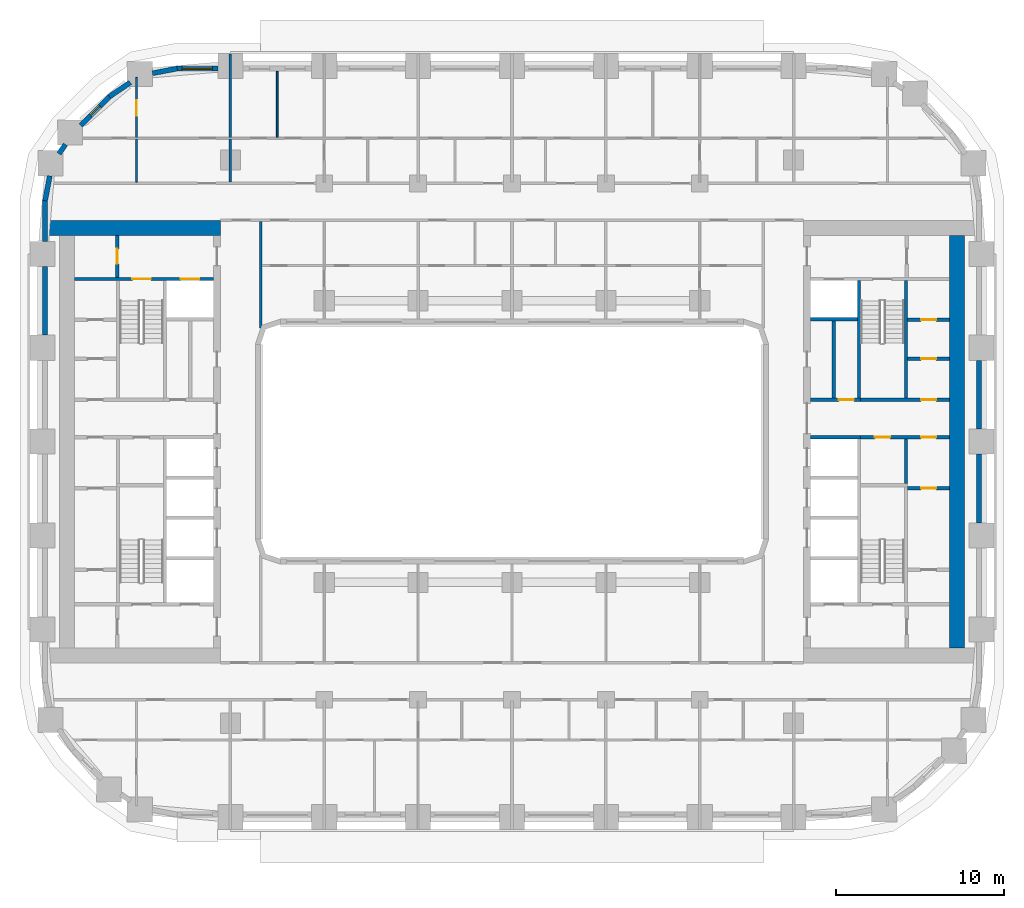
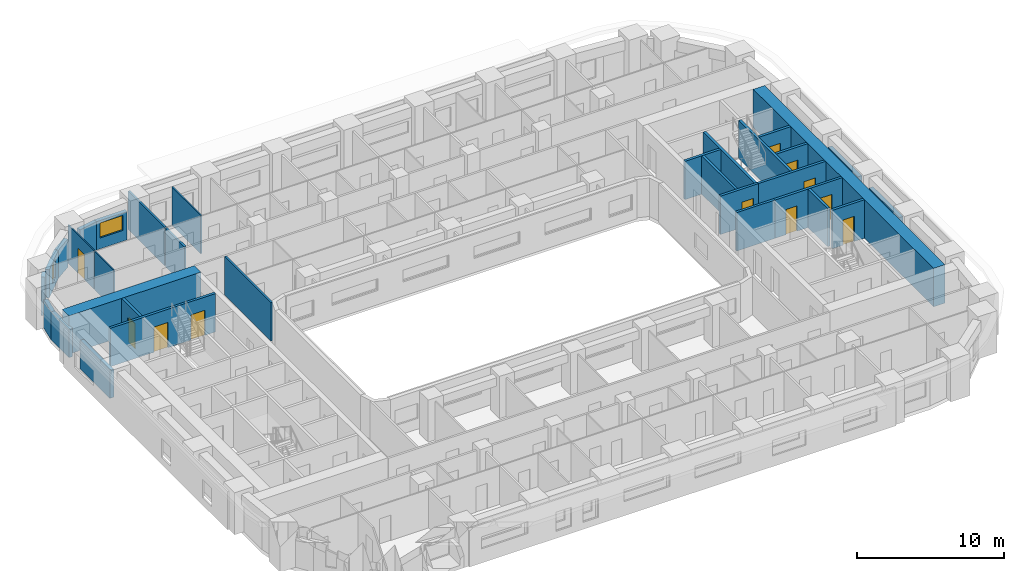
# One storey, part 7 of 21: 32 walls, 11 doors, 2 windows, 13 openings.
"""IFC4 building model written with IfcOpenShell, lengths in metres."""

from ifc_helpers import new_model, si_unit, direction, frame, frame_2d, origin, place, context, subcontext, project, spatial, rectangle, extrude, material, layer, layer_set, type_object, element, fill, save


model = new_model("IFC4")

# Units and contexts
model_context = context("Model", 3, precision=1e-05, world=origin(), true_north=direction((0.0, 1.0)))
body_context = subcontext(model_context, "Body", "Model", "MODEL_VIEW")
ifc_project = project(units=[si_unit("LENGTHUNIT", "METRE"), si_unit("AREAUNIT", "SQUARE_METRE"), si_unit("VOLUMEUNIT", "CUBIC_METRE"), si_unit("PLANEANGLEUNIT", "RADIAN"), si_unit("MASSUNIT", "GRAM", prefix="KILO")], contexts=[model_context])

# Site, building, storey
site_placement = place(None, origin())
site = spatial("IfcSite", under=ifc_project, at=site_placement, CompositionType="ELEMENT")
building_placement = place(site_placement, origin())
building = spatial("IfcBuilding", under=site, at=building_placement, Name="Kiln Ring Residences", CompositionType="ELEMENT")
storey_placement = place(building_placement, frame((0.0, 0.0, 41.0)))
storey = spatial("IfcBuildingStorey", under=building, at=storey_placement, Name="L09", CompositionType="ELEMENT", Elevation=41.0)

# Wall, opening, door
ifc_material_1 = material(Name="Gypsum board on steel studs", Category="steel")
ifc_layer_1 = layer(ifc_material_1, 0.199951171875)
ifc_layer_set_1 = layer_set([ifc_layer_1], Name="CORE-PARTITION-200")
wall_type_1 = type_object("IfcWallType", Name="CORE-PARTITION-200", PredefinedType="PARTITIONING", material=ifc_layer_set_1)
wall_1_placement = place(storey_placement, frame((-23.550048828125, 9.800048828125, 0.0), z_axis=(0.0, 0.0, 1.0), x_axis=(0.0, 1.0, 0.0)))
wall_1 = element("IfcWall", 1, at=wall_1_placement, inside=storey, type_object=wall_type_1, Name="Core partition west L09 4", PredefinedType="PARTITIONING", context=body_context, shape_type="SweptSolid", body=[
    extrude(rectangle(XDim=2.5, YDim=0.199951171875, at=frame_2d((1.25, 0.0))), origin(), (0.0, 0.0, 1.0), 3.199951171875),
])
opening_1_placement = place(wall_1_placement, frame((0.800048828125, 0.0, 0.0)))
opening_1 = element("IfcOpeningElement", 2, at=opening_1_placement, cuts=wall_1, Name="Opening L09-CW10", PredefinedType="OPENING", context=body_context, shape_type="SweptSolid", body=[
    extrude(rectangle(XDim=0.89990234375, YDim=2.10009765625, at=frame_2d((0.449951171875, 1.050048828125))), frame((0.0, 0.10986328125, 0.0), z_axis=(0.0, -1.0, 0.0), x_axis=(1.0, 0.0, 0.0)), (0.0, 0.0, 1.0), 0.219970703125),
])
ifc_material_2 = material(Name="Steel door leaf", Category="steel")
door_type_1 = type_object("IfcDoorType", Name="CORE-DOOR-ROOM", OperationType="SINGLE_SWING_LEFT", PredefinedType="DOOR", material=ifc_material_2)
door_1_placement = place(opening_1_placement, origin())
door_1 = element("IfcDoor", 3, at=door_1_placement, inside=storey, type_object=door_type_1, Name="Fire riser room L09-CW10", OperationType="SINGLE_SWING_RIGHT", OverallHeight=2.10009765625, OverallWidth=0.89990234375, PredefinedType="DOOR", context=body_context, shape_type="SweptSolid", body=[
    extrude(rectangle(XDim=0.89990234375, YDim=2.10009765625, at=frame_2d((0.449951171875, 1.050048828125))), frame((0.0, 0.02490234375, 0.0), z_axis=(0.0, -1.0, 0.0), x_axis=(1.0, 0.0, 0.0)), (0.0, 0.0, 1.0), 0.050048828125),
])
fill(opening_1, door_1)

# Wall
wall_2_placement = place(storey_placement, frame((23.5, -2.5, 0.0), z_axis=(0.0, 0.0, 1.0), x_axis=(0.0, 1.0, 0.0)))
element("IfcWall", 4, at=wall_2_placement, inside=storey, type_object=wall_type_1, Name="Core partition east L09 1", PredefinedType="PARTITIONING", context=body_context, shape_type="SweptSolid", body=[
    extrude(rectangle(XDim=2.64990234375, YDim=0.199951171875, at=frame_2d((1.324951171875, 0.0))), origin(), (0.0, 0.0, 1.0), 3.199951171875),
])

# Wall, openings, doors
wall_3_placement = place(storey_placement, frame((20.800048828125, 0.25, 0.0), z_axis=(0.0, 0.0, 1.0), x_axis=(1.0, 0.0, 0.0)))
wall_3 = element("IfcWall", 5, at=wall_3_placement, inside=storey, type_object=wall_type_1, Name="Core partition east L09 2", PredefinedType="PARTITIONING", context=body_context, shape_type="SweptSolid", body=[
    extrude(rectangle(XDim=5.300048828125, YDim=0.199951171875, at=frame_2d((2.64990234375, 0.0))), origin(), (0.0, 0.0, 1.0), 3.199951171875),
])
opening_2_placement = place(wall_3_placement, frame((0.85009765625, 0.0, 0.0)))
opening_2 = element("IfcOpeningElement", 6, at=opening_2_placement, cuts=wall_3, Name="Opening L09-CE15", PredefinedType="OPENING", context=body_context, shape_type="SweptSolid", body=[
    extrude(rectangle(XDim=0.89990234375, YDim=2.10009765625, at=frame_2d((0.449951171875, 1.050048828125))), frame((0.0, 0.10986328125, 0.0), z_axis=(0.0, -1.0, 0.0), x_axis=(1.0, 0.0, 0.0)), (0.0, 0.0, 1.0), 0.219970703125),
])
opening_3_placement = place(wall_3_placement, frame((3.60009765625, 0.0, 0.0)))
opening_3 = element("IfcOpeningElement", 7, at=opening_3_placement, cuts=wall_3, Name="Opening L09-CE18", PredefinedType="OPENING", context=body_context, shape_type="SweptSolid", body=[
    extrude(rectangle(XDim=0.89990234375, YDim=2.10009765625, at=frame_2d((0.449951171875, 1.050048828125))), frame((0.0, 0.10986328125, 0.0), z_axis=(0.0, -1.0, 0.0), x_axis=(1.0, 0.0, 0.0)), (0.0, 0.0, 1.0), 0.219970703125),
])
door_2_placement = place(opening_2_placement, origin())
door_2 = element("IfcDoor", 8, at=door_2_placement, inside=storey, type_object=door_type_1, Name="Cleaner's store L09-CE15", OperationType="SINGLE_SWING_RIGHT", OverallHeight=2.10009765625, OverallWidth=0.89990234375, PredefinedType="DOOR", context=body_context, shape_type="SweptSolid", body=[
    extrude(rectangle(XDim=0.89990234375, YDim=2.10009765625, at=frame_2d((0.449951171875, 1.050048828125))), frame((0.0, 0.02490234375, 0.0), z_axis=(0.0, -1.0, 0.0), x_axis=(1.0, 0.0, 0.0)), (0.0, 0.0, 1.0), 0.050048828125),
])
fill(opening_2, door_2)
door_3_placement = place(opening_3_placement, origin())
door_3 = element("IfcDoor", 9, at=door_3_placement, inside=storey, type_object=door_type_1, Name="Battery room L09-CE18", OperationType="SINGLE_SWING_LEFT", OverallHeight=2.10009765625, OverallWidth=0.89990234375, PredefinedType="DOOR", context=body_context, shape_type="SweptSolid", body=[
    extrude(rectangle(XDim=0.89990234375, YDim=2.10009765625, at=frame_2d((0.449951171875, 1.050048828125))), frame((0.0, 0.02490234375, 0.0), z_axis=(0.0, -1.0, 0.0), x_axis=(1.0, 0.0, 0.0)), (0.0, 0.0, 1.0), 0.050048828125),
])
fill(opening_3, door_3)

# Wall
wall_4_placement = place(storey_placement, frame((19.199951171875, 2.60009765625, 0.0), z_axis=(0.0, 0.0, 1.0), x_axis=(0.0, 1.0, 0.0)))
element("IfcWall", 10, at=wall_4_placement, inside=storey, type_object=wall_type_1, Name="Core partition east L09 3", PredefinedType="PARTITIONING", context=body_context, shape_type="SweptSolid", body=[
    extrude(rectangle(XDim=4.599853515625, YDim=0.199951171875, at=frame_2d((2.2998046875, 0.0))), origin(), (0.0, 0.0, 1.0), 3.199951171875),
])

# Wall, opening, door
wall_5_placement = place(storey_placement, frame((23.60009765625, -2.77490234375, 0.0), z_axis=(0.0, 0.0, 1.0), x_axis=(1.0, 0.0, 0.0)))
wall_5 = element("IfcWall", 11, at=wall_5_placement, inside=storey, type_object=wall_type_1, Name="Core partition east L09 7", PredefinedType="PARTITIONING", context=body_context, shape_type="SweptSolid", body=[
    extrude(rectangle(XDim=2.5, YDim=0.199951171875, at=frame_2d((1.25, 0.0))), origin(), (0.0, 0.0, 1.0), 3.199951171875),
])
opening_4_placement = place(wall_5_placement, frame((0.800048828125, 0.0, 0.0)))
opening_4 = element("IfcOpeningElement", 12, at=opening_4_placement, cuts=wall_5, Name="Opening L09-CE17", PredefinedType="OPENING", context=body_context, shape_type="SweptSolid", body=[
    extrude(rectangle(XDim=0.89990234375, YDim=2.10009765625, at=frame_2d((0.449951171875, 1.050048828125))), frame((0.0, 0.10986328125, 0.0), z_axis=(0.0, -1.0, 0.0), x_axis=(1.0, 0.0, 0.0)), (0.0, 0.0, 1.0), 0.219970703125),
])
door_4_placement = place(opening_4_placement, origin())
door_4 = element("IfcDoor", 13, at=door_4_placement, inside=storey, type_object=door_type_1, Name="Battery room L09-CE17", OperationType="SINGLE_SWING_LEFT", OverallHeight=2.10009765625, OverallWidth=0.89990234375, PredefinedType="DOOR", context=body_context, shape_type="SweptSolid", body=[
    extrude(rectangle(XDim=0.89990234375, YDim=2.10009765625, at=frame_2d((0.449951171875, 1.050048828125))), frame((0.0, 0.02490234375, 0.0), z_axis=(0.0, -1.0, 0.0), x_axis=(1.0, 0.0, 0.0)), (0.0, 0.0, 1.0), 0.050048828125),
])
fill(opening_4, door_4)

wall_6_placement = place(storey_placement, frame((23.60009765625, 4.933349609375, 0.0), z_axis=(0.0, 0.0, 1.0), x_axis=(1.0, 0.0, 0.0)))
wall_6 = element("IfcWall", 14, at=wall_6_placement, inside=storey, type_object=wall_type_1, Name="Core partition east L09 8", PredefinedType="PARTITIONING", context=body_context, shape_type="SweptSolid", body=[
    extrude(rectangle(XDim=2.5, YDim=0.199951171875, at=frame_2d((1.25, 0.0))), origin(), (0.0, 0.0, 1.0), 3.199951171875),
])
opening_5_placement = place(wall_6_placement, frame((0.800048828125, 0.0, 0.0)))
opening_5 = element("IfcOpeningElement", 15, at=opening_5_placement, cuts=wall_6, Name="Opening L09-CE19", PredefinedType="OPENING", context=body_context, shape_type="SweptSolid", body=[
    extrude(rectangle(XDim=0.89990234375, YDim=2.10009765625, at=frame_2d((0.449951171875, 1.050048828125))), frame((0.0, 0.10986328125, 0.0), z_axis=(0.0, -1.0, 0.0), x_axis=(1.0, 0.0, 0.0)), (0.0, 0.0, 1.0), 0.219970703125),
])
door_5_placement = place(opening_5_placement, origin())
door_5 = element("IfcDoor", 16, at=door_5_placement, inside=storey, type_object=door_type_1, Name="Electrical plant room L09-CE19", OperationType="SINGLE_SWING_LEFT", OverallHeight=2.10009765625, OverallWidth=0.89990234375, PredefinedType="DOOR", context=body_context, shape_type="SweptSolid", body=[
    extrude(rectangle(XDim=0.89990234375, YDim=2.10009765625, at=frame_2d((0.449951171875, 1.050048828125))), frame((0.0, 0.02490234375, 0.0), z_axis=(0.0, -1.0, 0.0), x_axis=(1.0, 0.0, 0.0)), (0.0, 0.0, 1.0), 0.050048828125),
])
fill(opening_5, door_5)

wall_7_placement = place(storey_placement, frame((23.60009765625, 7.2666015625, 0.0), z_axis=(0.0, 0.0, 1.0), x_axis=(1.0, 0.0, 0.0)))
wall_7 = element("IfcWall", 17, at=wall_7_placement, inside=storey, type_object=wall_type_1, Name="Core partition east L09 9", PredefinedType="PARTITIONING", context=body_context, shape_type="SweptSolid", body=[
    extrude(rectangle(XDim=2.5, YDim=0.199951171875, at=frame_2d((1.25, 0.0))), origin(), (0.0, 0.0, 1.0), 3.199951171875),
])
opening_6_placement = place(wall_7_placement, frame((0.800048828125, 0.0, 0.0)))
opening_6 = element("IfcOpeningElement", 18, at=opening_6_placement, cuts=wall_7, Name="Opening L09-CE20", PredefinedType="OPENING", context=body_context, shape_type="SweptSolid", body=[
    extrude(rectangle(XDim=0.89990234375, YDim=2.10009765625, at=frame_2d((0.449951171875, 1.050048828125))), frame((0.0, 0.10986328125, 0.0), z_axis=(0.0, -1.0, 0.0), x_axis=(1.0, 0.0, 0.0)), (0.0, 0.0, 1.0), 0.219970703125),
])
door_6_placement = place(opening_6_placement, origin())
door_6 = element("IfcDoor", 19, at=door_6_placement, inside=storey, type_object=door_type_1, Name="Comms room L09-CE20", OperationType="SINGLE_SWING_RIGHT", OverallHeight=2.10009765625, OverallWidth=0.89990234375, PredefinedType="DOOR", context=body_context, shape_type="SweptSolid", body=[
    extrude(rectangle(XDim=0.89990234375, YDim=2.10009765625, at=frame_2d((0.449951171875, 1.050048828125))), frame((0.0, 0.02490234375, 0.0), z_axis=(0.0, -1.0, 0.0), x_axis=(1.0, 0.0, 0.0)), (0.0, 0.0, 1.0), 0.050048828125),
])
fill(opening_6, door_6)

# Wall
ifc_material_3 = material(Name="Gypsum shaft wall system")
ifc_layer_2 = layer(ifc_material_3, 0.199951171875)
ifc_layer_set_2 = layer_set([ifc_layer_2], Name="CORE-SHAFT-WALL-200")
wall_type_2 = type_object("IfcWallType", Name="CORE-SHAFT-WALL-200", PredefinedType="PARTITIONING", material=ifc_layer_set_2)
wall_8_placement = place(storey_placement, frame((17.800048828125, 0.25, 0.0), z_axis=(0.0, 0.0, 1.0), x_axis=(1.0, 0.0, 0.0)))
element("IfcWall", 20, at=wall_8_placement, inside=storey, type_object=wall_type_2, Name="Core partition east L09 13", PredefinedType="PARTITIONING", context=body_context, shape_type="SweptSolid", body=[
    extrude(rectangle(XDim=3.0, YDim=0.199951171875, at=frame_2d((1.5, 0.0))), origin(), (0.0, 0.0, 1.0), 3.199951171875),
])

# Wall, opening, door
wall_9_placement = place(storey_placement, frame((17.800048828125, 2.5, 0.0), z_axis=(0.0, 0.0, 1.0), x_axis=(1.0, 0.0, 0.0)))
wall_9 = element("IfcWall", 21, at=wall_9_placement, inside=storey, type_object=wall_type_2, Name="Core partition east L09 14", PredefinedType="PARTITIONING", context=body_context, shape_type="SweptSolid", body=[
    extrude(rectangle(XDim=3.0, YDim=0.199951171875, at=frame_2d((1.5, 0.0))), origin(), (0.0, 0.0, 1.0), 3.199951171875),
])
opening_7_placement = place(wall_9_placement, frame((1.699951171875, 0.0, 0.0)))
opening_7 = element("IfcOpeningElement", 22, at=opening_7_placement, cuts=wall_9, Name="Opening L09-CE06", PredefinedType="OPENING", context=body_context, shape_type="SweptSolid", body=[
    extrude(rectangle(XDim=0.89990234375, YDim=2.10009765625, at=frame_2d((0.449951171875, 1.050048828125))), frame((0.0, 0.10986328125, 0.0), z_axis=(0.0, -1.0, 0.0), x_axis=(1.0, 0.0, 0.0)), (0.0, 0.0, 1.0), 0.219970703125),
])
door_7_placement = place(opening_7_placement, origin())
door_7 = element("IfcDoor", 23, at=door_7_placement, inside=storey, type_object=door_type_1, Name="Cleaner's store L09-CE06", OperationType="SINGLE_SWING_RIGHT", OverallHeight=2.10009765625, OverallWidth=0.89990234375, PredefinedType="DOOR", context=body_context, shape_type="SweptSolid", body=[
    extrude(rectangle(XDim=0.89990234375, YDim=2.10009765625, at=frame_2d((0.449951171875, 1.050048828125))), frame((0.0, 0.02490234375, 0.0), z_axis=(0.0, -1.0, 0.0), x_axis=(1.0, 0.0, 0.0)), (0.0, 0.0, 1.0), 0.050048828125),
])
fill(opening_7, door_7)

# Wall
wall_10_placement = place(storey_placement, frame((17.800048828125, 7.300048828125, 0.0), z_axis=(0.0, 0.0, 1.0), x_axis=(1.0, 0.0, 0.0)))
element("IfcWall", 24, at=wall_10_placement, inside=storey, type_object=wall_type_2, Name="Core partition east L09 15", PredefinedType="PARTITIONING", context=body_context, shape_type="SweptSolid", body=[
    extrude(rectangle(XDim=2.800048828125, YDim=0.199951171875, at=frame_2d((1.39990234375, 0.0))), origin(), (0.0, 0.0, 1.0), 3.199951171875),
])

# Wall, openings, doors
ifc_material_4 = material(Name="Concrete C40/50", Category="concrete")
ifc_layer_3 = layer(ifc_material_4, 0.199951171875)
ifc_layer_set_3 = layer_set([ifc_layer_3], Name="CORE-WALL-RC200")
wall_type_3 = type_object("IfcWallType", Name="CORE-WALL-RC200", PredefinedType="SHEAR", material=ifc_layer_set_3)
wall_11_placement = place(storey_placement, frame((-17.800048828125, 9.699951171875, 0.0), z_axis=(0.0, 0.0, 1.0), x_axis=(-1.0, 0.0, 0.0)))
wall_11 = element("IfcWall", 25, at=wall_11_placement, inside=storey, type_object=wall_type_3, Name="Core wall west L09 9", PredefinedType="SHEAR", context=body_context, shape_type="SweptSolid", body=[
    extrude(rectangle(XDim=8.300048828125, YDim=0.199951171875, at=frame_2d((4.14990234375, 0.0))), origin(), (0.0, 0.0, 1.0), 3.199951171875),
])
opening_8_placement = place(wall_11_placement, frame((0.85009765625, 0.0, 0.0)))
opening_8 = element("IfcOpeningElement", 26, at=opening_8_placement, cuts=wall_11, Name="Opening L09-CW07", PredefinedType="OPENING", context=body_context, shape_type="SweptSolid", body=[
    extrude(rectangle(XDim=1.10009765625, YDim=2.10009765625, at=frame_2d((0.550048828125, 1.050048828125))), frame((0.0, 0.10986328125, 0.0), z_axis=(0.0, -1.0, 0.0), x_axis=(1.0, 0.0, 0.0)), (0.0, 0.0, 1.0), 0.219970703125),
])
opening_9_placement = place(wall_11_placement, frame((3.75, 0.0, 0.0)))
opening_9 = element("IfcOpeningElement", 27, at=opening_9_placement, cuts=wall_11, Name="Opening L09-CW12", PredefinedType="OPENING", context=body_context, shape_type="SweptSolid", body=[
    extrude(rectangle(XDim=1.10009765625, YDim=2.10009765625, at=frame_2d((0.550048828125, 1.050048828125))), frame((0.0, 0.10986328125, 0.0), z_axis=(0.0, -1.0, 0.0), x_axis=(1.0, 0.0, 0.0)), (0.0, 0.0, 1.0), 0.219970703125),
])
ifc_material_5 = material(Name="Steel door leaf", Category="steel")
door_type_2 = type_object("IfcDoorType", Name="CORE-DOOR-LD", OperationType="DOUBLE_DOOR_SLIDING", PredefinedType="DOOR", material=ifc_material_5)
door_8_placement = place(opening_8_placement, origin())
door_8 = element("IfcDoor", 28, at=door_8_placement, inside=storey, type_object=door_type_2, Name="LD W-FF L09-CW07", OperationType="DOUBLE_DOOR_SLIDING", OverallHeight=2.10009765625, OverallWidth=1.10009765625, PredefinedType="DOOR", context=body_context, shape_type="SweptSolid", body=[
    extrude(rectangle(XDim=1.10009765625, YDim=2.10009765625, at=frame_2d((0.550048828125, 1.050048828125))), frame((0.0, 0.02490234375, 0.0), z_axis=(0.0, -1.0, 0.0), x_axis=(1.0, 0.0, 0.0)), (0.0, 0.0, 1.0), 0.050048828125),
])
fill(opening_8, door_8)
ifc_material_6 = material(Name="Steel door leaf", Category="steel")
door_type_3 = type_object("IfcDoorType", Name="CORE-DOOR-STAIR", OperationType="SINGLE_SWING_LEFT", PredefinedType="DOOR", material=ifc_material_6)
door_9_placement = place(opening_9_placement, origin())
door_9 = element("IfcDoor", 29, at=door_9_placement, inside=storey, type_object=door_type_3, Name="Stair W-STN L09-CW12", OperationType="SINGLE_SWING_RIGHT", OverallHeight=2.10009765625, OverallWidth=1.10009765625, PredefinedType="DOOR", context=body_context, shape_type="SweptSolid", body=[
    extrude(rectangle(XDim=1.10009765625, YDim=2.10009765625, at=frame_2d((0.550048828125, 1.050048828125))), frame((0.0, 0.02490234375, 0.0), z_axis=(0.0, -1.0, 0.0), x_axis=(1.0, 0.0, 0.0)), (0.0, 0.0, 1.0), 0.050048828125),
])
fill(opening_9, door_9)

# Wall
wall_12_placement = place(storey_placement, frame((20.699951171875, 2.60009765625, 0.0), z_axis=(0.0, 0.0, 1.0), x_axis=(0.0, 1.0, 0.0)))
element("IfcWall", 30, at=wall_12_placement, inside=storey, type_object=wall_type_3, Name="Core wall east L09 1", PredefinedType="SHEAR", context=body_context, shape_type="SweptSolid", body=[
    extrude(rectangle(XDim=7.0, YDim=0.199951171875, at=frame_2d((3.5, 0.0))), origin(), (0.0, 0.0, 1.0), 3.199951171875),
])

# Wall, opening, door
wall_13_placement = place(storey_placement, frame((20.800048828125, 2.5, 0.0), z_axis=(0.0, 0.0, 1.0), x_axis=(1.0, 0.0, 0.0)))
wall_13 = element("IfcWall", 31, at=wall_13_placement, inside=storey, type_object=wall_type_3, Name="Core wall east L09 3", PredefinedType="SHEAR", context=body_context, shape_type="SweptSolid", body=[
    extrude(rectangle(XDim=5.300048828125, YDim=0.199951171875, at=frame_2d((2.64990234375, 0.0))), origin(), (0.0, 0.0, 1.0), 3.199951171875),
])
opening_10_placement = place(wall_13_placement, frame((3.60009765625, 0.0, 0.0)))
opening_10 = element("IfcOpeningElement", 32, at=opening_10_placement, cuts=wall_13, Name="Opening L09-CE21", PredefinedType="OPENING", context=body_context, shape_type="SweptSolid", body=[
    extrude(rectangle(XDim=0.89990234375, YDim=2.10009765625, at=frame_2d((0.449951171875, 1.050048828125))), frame((0.0, 0.10986328125, 0.0), z_axis=(0.0, -1.0, 0.0), x_axis=(1.0, 0.0, 0.0)), (0.0, 0.0, 1.0), 0.219970703125),
])
door_10_placement = place(opening_10_placement, origin())
door_10 = element("IfcDoor", 33, at=door_10_placement, inside=storey, type_object=door_type_1, Name="UPS room L09-CE21", OperationType="SINGLE_SWING_LEFT", OverallHeight=2.10009765625, OverallWidth=0.89990234375, PredefinedType="DOOR", context=body_context, shape_type="SweptSolid", body=[
    extrude(rectangle(XDim=0.89990234375, YDim=2.10009765625, at=frame_2d((0.449951171875, 1.050048828125))), frame((0.0, 0.02490234375, 0.0), z_axis=(0.0, -1.0, 0.0), x_axis=(1.0, 0.0, 0.0)), (0.0, 0.0, 1.0), 0.050048828125),
])
fill(opening_10, door_10)

# Walls
wall_14_placement = place(storey_placement, frame((23.5, 2.60009765625, 0.0), z_axis=(0.0, 0.0, 1.0), x_axis=(0.0, 1.0, 0.0)))
element("IfcWall", 34, at=wall_14_placement, inside=storey, type_object=wall_type_3, Name="Core wall east L09 10", PredefinedType="SHEAR", context=body_context, shape_type="SweptSolid", body=[
    extrude(rectangle(XDim=7.0, YDim=0.199951171875, at=frame_2d((3.5, 0.0))), origin(), (0.0, 0.0, 1.0), 3.199951171875),
])
ifc_material_7 = material(Name="Concrete C60/75", Category="concrete")
ifc_layer_4 = layer(ifc_material_7, 0.89990234375)
ifc_layer_set_4 = layer_set([ifc_layer_4], Name="CORE-WALL-RC900")
wall_type_4 = type_object("IfcWallType", Name="CORE-WALL-RC900", PredefinedType="SHEAR", material=ifc_layer_set_4)
wall_15_placement = place(storey_placement, frame((-17.39990234375, 12.75, 0.0), z_axis=(0.0, 0.0, 1.0), x_axis=(-1.0, 0.0, 0.0)))
element("IfcWall", 35, at=wall_15_placement, inside=storey, type_object=wall_type_4, Name="Core wall west L09 4", PredefinedType="SHEAR", context=body_context, shape_type="SweptSolid", body=[
    extrude(rectangle(XDim=10.400146484375, YDim=0.89990234375, at=frame_2d((5.2001953125, 0.0))), origin(), (0.0, 0.0, 1.0), 3.199951171875),
])
wall_16_placement = place(storey_placement, frame((26.550048828125, -12.300048828125, 0.0), z_axis=(0.0, 0.0, 1.0), x_axis=(0.0, 1.0, 0.0)))
element("IfcWall", 36, at=wall_16_placement, inside=storey, type_object=wall_type_4, Name="Core wall east L09 7", PredefinedType="SHEAR", context=body_context, shape_type="SweptSolid", body=[
    extrude(rectangle(XDim=24.60009765625, YDim=0.89990234375, at=frame_2d((12.300048828125, 0.0))), origin(), (0.0, 0.0, 1.0), 3.199951171875),
])
ifc_material_8 = material(Name="Brick masonry, dark clay brick", Category="masonry")
ifc_layer_5 = layer(ifc_material_8, 0.300048828125)
ifc_layer_set_5 = layer_set([ifc_layer_5], Name="EW-300 BRICK WALL")
wall_type_5 = type_object("IfcWallType", Name="EW-300 BRICK WALL", PredefinedType="SOLIDWALL", material=ifc_layer_set_5)
for number, where, z_axis, x_axis, name in (
    (37, (27.85009765625, -4.85009765625, 0.0), (0.0, 0.0, 1.0), (0.0, 1.0, 0.0), "Facade wall L09 19"),
    (38, (27.85009765625, 0.75, 0.0), (0.0, 0.0, 1.0), (0.0, 1.0, 0.0), "Facade wall L09 20"),
):
    element("IfcWall", number, at=place(storey_placement, frame(where, z_axis=z_axis, x_axis=x_axis)), inside=storey, type_object=wall_type_5, Name=name, PredefinedType="SOLIDWALL", context=body_context, shape_type="SweptSolid", body=[
        extrude(rectangle(XDim=4.10009765625, YDim=0.300048828125, at=frame_2d((2.050048828125, 0.0))), origin(), (0.0, 0.0, 1.0), 2.35009765625),
    ])

# Wall, opening, window
wall_17_placement = place(storey_placement, frame((-17.550048828125, 22.25, 0.0), z_axis=(0.0, 0.0, 1.0), x_axis=(-1.0, 0.0, 0.0)))
wall_17 = element("IfcWall", 39, at=wall_17_placement, inside=storey, type_object=wall_type_5, Name="Facade wall L09 35", PredefinedType="SOLIDWALL", context=body_context, shape_type="SweptSolid", body=[
    extrude(rectangle(XDim=2.449951171875, YDim=0.300048828125, at=frame_2d((1.22509765625, 0.0))), origin(), (0.0, 0.0, 1.0), 2.35009765625),
])
opening_11_placement = place(wall_17_placement, frame((0.324951171875, 0.0, 0.89990234375)))
opening_11 = element("IfcOpeningElement", 40, at=opening_11_placement, cuts=wall_17, Name="Opening W2", PredefinedType="OPENING", context=body_context, shape_type="SweptSolid", body=[
    extrude(rectangle(XDim=1.800048828125, YDim=1.25, at=frame_2d((0.89990234375, 0.625))), frame((0.0, 0.159912109375, 0.0), z_axis=(0.0, -1.0, 0.0), x_axis=(1.0, 0.0, 0.0)), (0.0, 0.0, 1.0), 0.320068359375),
])
ifc_material_9 = material(Name="Aluminium frame with double glazing", Category="aluminium")
window_type_1 = type_object("IfcWindowType", Name="WINDOW 1800 x 1250", PartitioningType="SINGLE_PANEL", PredefinedType="WINDOW", material=ifc_material_9)
window_1_placement = place(opening_11_placement, origin())
window_1 = element("IfcWindow", 41, at=window_1_placement, inside=storey, type_object=window_type_1, Name="Window L09 22", OverallHeight=1.25, OverallWidth=1.800048828125, PartitioningType="SINGLE_PANEL", PredefinedType="WINDOW", context=body_context, shape_type="SweptSolid", body=[
    extrude(rectangle(XDim=1.800048828125, YDim=1.25, at=frame_2d((0.89990234375, 0.625))), frame((0.0, 0.030029296875, 0.0), z_axis=(0.0, -1.0, 0.0), x_axis=(1.0, 0.0, 0.0)), (0.0, 0.0, 1.0), 0.06005859375),
])
fill(opening_11, window_1)

# Walls
for number, where, z_axis, x_axis, name in (
    (42, (-19.971923828125, 22.252685546875, 0.0), (0.0, 0.0, 1.0), (-0.982287454367, -0.187380247071, 0.0), "Facade wall L09 36"),
    (43, (-22.76708984375, 21.425537109375, 0.0), (0.0, 0.0, 1.0), (-0.827028997312, -0.562159263559, 0.0), "Facade wall L09 37"),
):
    element("IfcWall", number, at=place(storey_placement, frame(where, z_axis=z_axis, x_axis=x_axis)), inside=storey, type_object=wall_type_5, Name=name, PredefinedType="SOLIDWALL", context=body_context, shape_type="SweptSolid", body=[
        extrude(rectangle(XDim=1.506103515625, YDim=0.300048828125, at=frame_2d((0.7529296875, 0.0))), origin(), (0.0, 0.0, 1.0), 2.35009765625),
    ])

# Wall, opening, window
wall_18_placement = place(storey_placement, frame((-23.990966796875, 20.596923828125, 0.0), z_axis=(0.0, 0.0, 1.0), x_axis=(-0.707106781187, -0.707106781187, 0.0)))
wall_18 = element("IfcWall", 44, at=wall_18_placement, inside=storey, type_object=wall_type_5, Name="Facade wall L09 38", PredefinedType="SOLIDWALL", context=body_context, shape_type="SweptSolid", body=[
    extrude(rectangle(XDim=2.449951171875, YDim=0.300048828125, at=frame_2d((1.22509765625, 0.0))), origin(), (0.0, 0.0, 1.0), 2.35009765625),
])
opening_12_placement = place(wall_18_placement, frame((0.824951171875, 0.0, 0.60009765625)))
opening_12 = element("IfcOpeningElement", 45, at=opening_12_placement, cuts=wall_18, Name="Opening W5", PredefinedType="OPENING", context=body_context, shape_type="SweptSolid", body=[
    extrude(rectangle(XDim=0.800048828125, YDim=1.550048828125, at=frame_2d((0.39990234375, 0.77490234375))), frame((0.0, 0.159912109375, 0.0), z_axis=(0.0, -1.0, 0.0), x_axis=(1.0, 0.0, 0.0)), (0.0, 0.0, 1.0), 0.320068359375),
])
ifc_material_10 = material(Name="Aluminium frame with double glazing", Category="aluminium")
window_type_2 = type_object("IfcWindowType", Name="WINDOW 800 x 1550", PartitioningType="SINGLE_PANEL", PredefinedType="WINDOW", material=ifc_material_10)
window_2_placement = place(opening_12_placement, origin())
window_2 = element("IfcWindow", 46, at=window_2_placement, inside=storey, type_object=window_type_2, Name="Window L09 23", OverallHeight=1.550048828125, OverallWidth=0.800048828125, PartitioningType="SINGLE_PANEL", PredefinedType="WINDOW", context=body_context, shape_type="SweptSolid", body=[
    extrude(rectangle(XDim=0.800048828125, YDim=1.550048828125, at=frame_2d((0.39990234375, 0.77490234375))), frame((0.0, 0.030029296875, 0.0), z_axis=(0.0, -1.0, 0.0), x_axis=(1.0, 0.0, 0.0)), (0.0, 0.0, 1.0), 0.06005859375),
])
fill(opening_12, window_2)

# Walls
wall_19_placement = place(storey_placement, frame((-26.644775390625, 17.72705078125, 0.0), z_axis=(0.0, 0.0, 1.0), x_axis=(-0.562083182981, -0.827080706709, 0.0)))
element("IfcWall", 47, at=wall_19_placement, inside=storey, type_object=wall_type_5, Name="Facade wall L09 39", PredefinedType="SOLIDWALL", context=body_context, shape_type="SweptSolid", body=[
    extrude(rectangle(XDim=0.67724609375, YDim=0.300048828125, at=frame_2d((0.338623046875, 0.0))), origin(), (0.0, 0.0, 1.0), 3.199951171875),
])
wall_20_placement = place(storey_placement, frame((-27.570556640625, 15.851318359375, 0.0), z_axis=(0.0, 0.0, 1.0), x_axis=(-0.187223837635, -0.982317277982, 0.0)))
element("IfcWall", 48, at=wall_20_placement, inside=storey, type_object=wall_type_5, Name="Facade wall L09 40", PredefinedType="SOLIDWALL", context=body_context, shape_type="SweptSolid", body=[
    extrude(rectangle(XDim=1.506103515625, YDim=0.300048828125, at=frame_2d((0.7529296875, 0.0))), origin(), (0.0, 0.0, 1.0), 2.35009765625),
])
wall_21_placement = place(storey_placement, frame((-27.85009765625, 14.39990234375, 0.0), z_axis=(0.0, 0.0, 1.0), x_axis=(0.0, -1.0, 0.0)))
element("IfcWall", 49, at=wall_21_placement, inside=storey, type_object=wall_type_5, Name="Facade wall L09 41", PredefinedType="SOLIDWALL", context=body_context, shape_type="SweptSolid", body=[
    extrude(rectangle(XDim=2.449951171875, YDim=0.300048828125, at=frame_2d((1.22509765625, 0.0))), origin(), (0.0, 0.0, 1.0), 2.35009765625),
])
wall_22_placement = place(storey_placement, frame((-27.85009765625, 10.449951171875, 0.0), z_axis=(0.0, 0.0, 1.0), x_axis=(0.0, -1.0, 0.0)))
element("IfcWall", 50, at=wall_22_placement, inside=storey, type_object=wall_type_5, Name="Facade wall L09 42", PredefinedType="SOLIDWALL", context=body_context, shape_type="SweptSolid", body=[
    extrude(rectangle(XDim=4.099853515625, YDim=0.300048828125, at=frame_2d((2.0498046875, 0.0))), origin(), (0.0, 0.0, 1.0), 2.35009765625),
])
ifc_material_11 = material(Name="Gypsum board on steel studs", Category="steel")
ifc_layer_6 = layer(ifc_material_11, 0.10009765625)
ifc_layer_set_6 = layer_set([ifc_layer_6], Name="PARTITION-100")
wall_type_6 = type_object("IfcWallType", Name="PARTITION-100", PredefinedType="PARTITIONING", material=ifc_layer_set_6)
wall_23_placement = place(storey_placement, frame((-22.39990234375, 15.47509765625, 0.0), z_axis=(0.0, 0.0, 1.0), x_axis=(0.0, 1.0, 0.0)))
element("IfcWall", 51, at=wall_23_placement, inside=storey, type_object=wall_type_6, Name="Partition 009", PredefinedType="PARTITIONING", context=body_context, shape_type="SweptSolid", body=[
    extrude(rectangle(XDim=2.574951171875, YDim=0.10009765625, at=frame_2d((1.28759765625, 0.0))), origin(), (0.0, 0.0, 1.0), 3.199951171875),
])

# Wall, opening, door
wall_24_placement = place(storey_placement, frame((-22.39990234375, 18.14990234375, 0.0), z_axis=(0.0, 0.0, 1.0), x_axis=(0.0, 1.0, 0.0)))
wall_24 = element("IfcWall", 52, at=wall_24_placement, inside=storey, type_object=wall_type_6, Name="Partition 010", PredefinedType="PARTITIONING", context=body_context, shape_type="SweptSolid", body=[
    extrude(rectangle(XDim=3.570068359375, YDim=0.10009765625, at=frame_2d((1.78515625, 0.0))), origin(), (0.0, 0.0, 1.0), 3.199951171875),
])
opening_13_placement = place(wall_24_placement, frame((1.298095703125, 0.0, 0.0)))
opening_13 = element("IfcOpeningElement", 53, at=opening_13_placement, cuts=wall_24, Name="Opening L09-D022", PredefinedType="OPENING", context=body_context, shape_type="SweptSolid", body=[
    extrude(rectangle(XDim=0.89990234375, YDim=2.10009765625, at=frame_2d((0.449951171875, 1.050048828125))), frame((0.0, 0.06005859375, 0.0), z_axis=(0.0, -1.0, 0.0), x_axis=(1.0, 0.0, 0.0)), (0.0, 0.0, 1.0), 0.1201171875),
])
ifc_material_12 = material(Name="Timber door leaf", Category="wood")
door_type_4 = type_object("IfcDoorType", Name="FLAT-DOOR-900-PL", OperationType="SINGLE_SWING_LEFT", PredefinedType="DOOR", material=ifc_material_12)
door_11_placement = place(opening_13_placement, origin())
door_11 = element("IfcDoor", 54, at=door_11_placement, inside=storey, type_object=door_type_4, Name="Door L09-D022", OperationType="SINGLE_SWING_RIGHT", OverallHeight=2.10009765625, OverallWidth=0.89990234375, PredefinedType="DOOR", context=body_context, shape_type="SweptSolid", body=[
    extrude(rectangle(XDim=0.89990234375, YDim=2.10009765625, at=frame_2d((0.449951171875, 1.050048828125))), frame((0.0, 0.02490234375, 0.0), z_axis=(0.0, -1.0, 0.0), x_axis=(1.0, 0.0, 0.0)), (0.0, 0.0, 1.0), 0.050048828125),
])
fill(opening_13, door_11)

# Walls
wall_25_placement = place(storey_placement, frame((-14.0, 18.14990234375, 0.0), z_axis=(0.0, 0.0, 1.0), x_axis=(0.0, 1.0, 0.0)))
element("IfcWall", 55, at=wall_25_placement, inside=storey, type_object=wall_type_6, Name="Partition 018", PredefinedType="PARTITIONING", context=body_context, shape_type="SweptSolid", body=[
    extrude(rectangle(XDim=3.93017578125, YDim=0.10009765625, at=frame_2d((1.965087890625, 0.0))), origin(), (0.0, 0.0, 1.0), 3.199951171875),
])
ifc_material_13 = material(Name="Brick masonry partition", Category="masonry")
ifc_layer_7 = layer(ifc_material_13, 0.14990234375)
ifc_layer_set_7 = layer_set([ifc_layer_7], Name="PARTITION-150-ei60")
wall_type_7 = type_object("IfcWallType", Name="PARTITION-150-ei60", PredefinedType="PARTITIONING", material=ifc_layer_set_7)
wall_26_placement = place(storey_placement, frame((-16.800048828125, 15.47509765625, 0.0), z_axis=(0.0, 0.0, 1.0), x_axis=(0.0, 1.0, 0.0)))
element("IfcWall", 56, at=wall_26_placement, inside=storey, type_object=wall_type_7, Name="Partition 013", PredefinedType="PARTITIONING", context=body_context, shape_type="SweptSolid", body=[
    extrude(rectangle(XDim=2.574951171875, YDim=0.14990234375, at=frame_2d((1.28759765625, 0.0))), origin(), (0.0, 0.0, 1.0), 3.199951171875),
])
wall_27_placement = place(storey_placement, frame((-16.800048828125, 18.14990234375, 0.0), z_axis=(0.0, 0.0, 1.0), x_axis=(0.0, 1.0, 0.0)))
element("IfcWall", 57, at=wall_27_placement, inside=storey, type_object=wall_type_7, Name="Partition 014", PredefinedType="PARTITIONING", context=body_context, shape_type="SweptSolid", body=[
    extrude(rectangle(XDim=4.97998046875, YDim=0.14990234375, at=frame_2d((2.489990234375, 0.0))), origin(), (0.0, 0.0, 1.0), 3.199951171875),
])
wall_28_placement = place(storey_placement, frame((-15.0, 6.768798828125, 0.0), z_axis=(0.0, 0.0, 1.0), x_axis=(0.0, 1.0, 0.0)))
element("IfcWall", 58, at=wall_28_placement, inside=storey, type_object=wall_type_7, Name="Partition 016", PredefinedType="PARTITIONING", context=body_context, shape_type="SweptSolid", body=[
    extrude(rectangle(XDim=6.356201171875, YDim=0.14990234375, at=frame_2d((3.17822265625, 0.0))), origin(), (0.0, 0.0, 1.0), 3.199951171875),
])

save(model, "model.ifc")
